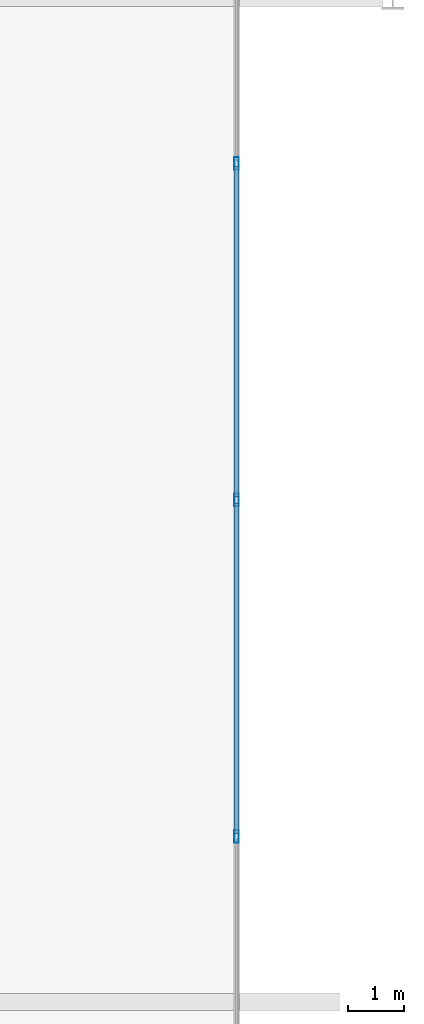
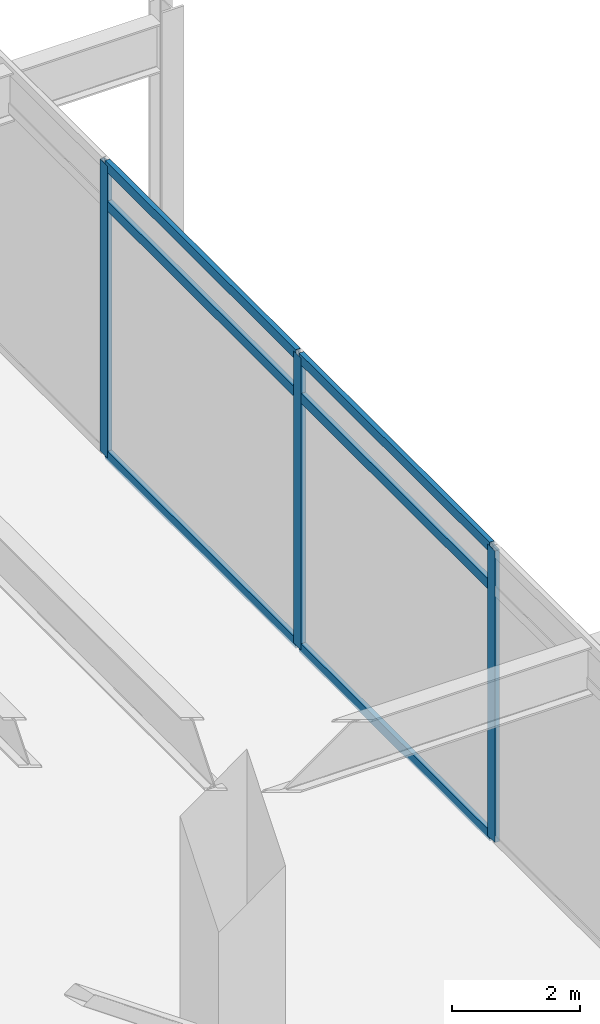
# One storey, part 11 of 26: 9 members, 1 element without a shape of its own.
"""IFC4 building model written with IfcOpenShell, lengths in metres."""

from ifc_helpers import new_model, si_unit, direction, frame, origin, origin_2d, place, context, subcontext, project, spatial, hollow_rectangle, extrude, material, material_profile, profile_set, type_object, element, aggregate, save


model = new_model("IFC4")

# Units and contexts
model_context = context("Model", 3, precision=1e-05, world=origin(), true_north=direction((0.0, 1.0)))
body_context = subcontext(model_context, "Body", "Model", "MODEL_VIEW")
ifc_project = project(units=[si_unit("LENGTHUNIT", "METRE"), si_unit("AREAUNIT", "SQUARE_METRE"), si_unit("VOLUMEUNIT", "CUBIC_METRE"), si_unit("PLANEANGLEUNIT", "RADIAN"), si_unit("MASSUNIT", "GRAM", prefix="KILO")], contexts=[model_context])

# Site, building, storey
site_placement = place(None, origin())
site = spatial("IfcSite", under=ifc_project, at=site_placement, CompositionType="ELEMENT")
building_placement = place(site_placement, origin())
building = spatial("IfcBuilding", under=site, at=building_placement, Name="Kovane Verandah Tower", CompositionType="ELEMENT")
storey_placement = place(building_placement, frame((0.0, 0.0, 301.0)))
storey = spatial("IfcBuildingStorey", under=building, at=storey_placement, Name="L70", CompositionType="ELEMENT", Elevation=301.0)

# Curtain wall, members
ifc_material_1 = material(Name="Champagne Anodised Aluminium Frame with Low-E Clear Laminated Glass", Category="aluminium")
curtain_wall_type = type_object("IfcCurtainWallType", Name="CW-SYS-05-HIGH", PredefinedType="NOTDEFINED", material=ifc_material_1)
curtain_wall_placement = place(storey_placement, origin())
curtain_wall = element("IfcCurtainWall", 1, at=curtain_wall_placement, inside=storey, type_object=curtain_wall_type, Name="L70 E Unitised Curtain Wall", PredefinedType="NOTDEFINED")
ifc_material_2 = material(Name="Champagne Anodised Aluminium 6063-T6", Category="aluminium")
ifc_material_profile_1 = material_profile(ifc_material_2, hollow_rectangle(XDim=0.0849609375, YDim=0.22998046875, WallThickness=0.00390625, at=origin_2d()), Name="AL85x230x4")
ifc_profile_set_1 = profile_set([ifc_material_profile_1], Name="Champagne Anodised Aluminium 6063-T6")
member_type_1 = type_object("IfcMemberType", Name="CW-MUL-85x230", PredefinedType="MULLION", material=ifc_profile_set_1)
member_1_placement = place(storey_placement, frame((64.800048828125, 21.466796875, 0.02001953125), z_axis=(0.0, 0.0, 1.0), x_axis=(1.0, 0.0, 0.0)))
member_1 = element("IfcMember", 2, at=member_1_placement, type_object=member_type_1, Name="L70 E Unitised Curtain Wall Mullion 3", PredefinedType="MULLION", context=body_context, shape_type="SweptSolid", body=[
    extrude(hollow_rectangle(XDim=0.0849609375, YDim=0.22998046875, WallThickness=0.00390625, at=origin_2d()), origin(), (0.0, 0.0, 1.0), 5.544921875),
])
member_2_placement = place(storey_placement, frame((64.800048828125, 27.5, 0.02001953125), z_axis=(0.0, 0.0, 1.0), x_axis=(1.0, 0.0, 0.0)))
member_2 = element("IfcMember", 3, at=member_2_placement, type_object=member_type_1, Name="L70 E Unitised Curtain Wall Mullion 4", PredefinedType="MULLION", context=body_context, shape_type="SweptSolid", body=[
    extrude(hollow_rectangle(XDim=0.0849609375, YDim=0.22998046875, WallThickness=0.00390625, at=origin_2d()), origin(), (0.0, 0.0, 1.0), 5.544921875),
])
member_3_placement = place(storey_placement, frame((64.800048828125, 33.533203125, 0.02001953125), z_axis=(0.0, 0.0, 1.0), x_axis=(1.0, 0.0, 0.0)))
member_3 = element("IfcMember", 4, at=member_3_placement, type_object=member_type_1, Name="L70 E Unitised Curtain Wall Mullion 5", PredefinedType="MULLION", context=body_context, shape_type="SweptSolid", body=[
    extrude(hollow_rectangle(XDim=0.0849609375, YDim=0.22998046875, WallThickness=0.00390625, at=origin_2d()), origin(), (0.0, 0.0, 1.0), 5.544921875),
])
ifc_material_profile_2 = material_profile(ifc_material_2, hollow_rectangle(XDim=0.0849609375, YDim=0.18994140625, WallThickness=0.00390625, at=origin_2d()), Name="AL85x190x4")
ifc_profile_set_2 = profile_set([ifc_material_profile_2], Name="Champagne Anodised Aluminium 6063-T6")
member_type_2 = type_object("IfcMemberType", Name="CW-TRN-85x190", PredefinedType="USERDEFINED", material=ifc_profile_set_2)
member_4_placement = place(storey_placement, frame((64.800048828125, 21.5166015625, 0.050048828125), z_axis=(0.0, 1.0, 0.0), x_axis=(-1.0, 0.0, 0.0)))
member_4 = element("IfcMember", 5, at=member_4_placement, type_object=member_type_2, Name="L70 E Unitised Curtain Wall Transom TB Bay 3", ObjectType="TRANSOM", PredefinedType="USERDEFINED", context=body_context, shape_type="SweptSolid", body=[
    extrude(hollow_rectangle(XDim=0.0849609375, YDim=0.18994140625, WallThickness=0.00390625, at=origin_2d()), origin(), (0.0, 0.0, 1.0), 5.933349609375),
])
member_5_placement = place(storey_placement, frame((64.800048828125, 21.5166015625, 4.804931640625), z_axis=(0.0, 1.0, 0.0), x_axis=(-1.0, 0.0, 0.0)))
member_5 = element("IfcMember", 6, at=member_5_placement, type_object=member_type_2, Name="L70 E Unitised Curtain Wall Transom TM Bay 3", ObjectType="TRANSOM", PredefinedType="USERDEFINED", context=body_context, shape_type="SweptSolid", body=[
    extrude(hollow_rectangle(XDim=0.0849609375, YDim=0.18994140625, WallThickness=0.00390625, at=origin_2d()), origin(), (0.0, 0.0, 1.0), 5.933349609375),
])
member_6_placement = place(storey_placement, frame((64.800048828125, 21.5166015625, 5.534912109375), z_axis=(0.0, 1.0, 0.0), x_axis=(-1.0, 0.0, 0.0)))
member_6 = element("IfcMember", 7, at=member_6_placement, type_object=member_type_2, Name="L70 E Unitised Curtain Wall Transom TT Bay 3", ObjectType="TRANSOM", PredefinedType="USERDEFINED", context=body_context, shape_type="SweptSolid", body=[
    extrude(hollow_rectangle(XDim=0.0849609375, YDim=0.18994140625, WallThickness=0.00390625, at=origin_2d()), origin(), (0.0, 0.0, 1.0), 5.933349609375),
])
member_7_placement = place(storey_placement, frame((64.800048828125, 27.550048828125, 0.050048828125), z_axis=(0.0, 1.0, 0.0), x_axis=(-1.0, 0.0, 0.0)))
member_7 = element("IfcMember", 8, at=member_7_placement, type_object=member_type_2, Name="L70 E Unitised Curtain Wall Transom TB Bay 4", ObjectType="TRANSOM", PredefinedType="USERDEFINED", context=body_context, shape_type="SweptSolid", body=[
    extrude(hollow_rectangle(XDim=0.0849609375, YDim=0.18994140625, WallThickness=0.00390625, at=origin_2d()), origin(), (0.0, 0.0, 1.0), 5.933349609375),
])
member_8_placement = place(storey_placement, frame((64.800048828125, 27.550048828125, 4.804931640625), z_axis=(0.0, 1.0, 0.0), x_axis=(-1.0, 0.0, 0.0)))
member_8 = element("IfcMember", 9, at=member_8_placement, type_object=member_type_2, Name="L70 E Unitised Curtain Wall Transom TM Bay 4", ObjectType="TRANSOM", PredefinedType="USERDEFINED", context=body_context, shape_type="SweptSolid", body=[
    extrude(hollow_rectangle(XDim=0.0849609375, YDim=0.18994140625, WallThickness=0.00390625, at=origin_2d()), origin(), (0.0, 0.0, 1.0), 5.933349609375),
])
member_9_placement = place(storey_placement, frame((64.800048828125, 27.550048828125, 5.534912109375), z_axis=(0.0, 1.0, 0.0), x_axis=(-1.0, 0.0, 0.0)))
member_9 = element("IfcMember", 10, at=member_9_placement, type_object=member_type_2, Name="L70 E Unitised Curtain Wall Transom TT Bay 4", ObjectType="TRANSOM", PredefinedType="USERDEFINED", context=body_context, shape_type="SweptSolid", body=[
    extrude(hollow_rectangle(XDim=0.0849609375, YDim=0.18994140625, WallThickness=0.00390625, at=origin_2d()), origin(), (0.0, 0.0, 1.0), 5.933349609375),
])
aggregate(curtain_wall, [member_1, member_2, member_3, member_4, member_5, member_6, member_7, member_8, member_9])

save(model, "model.ifc")
